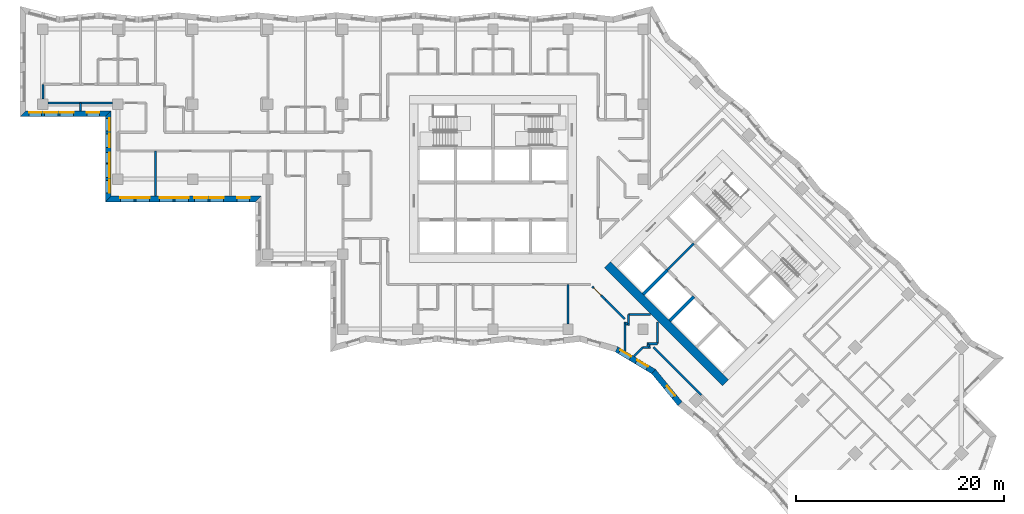
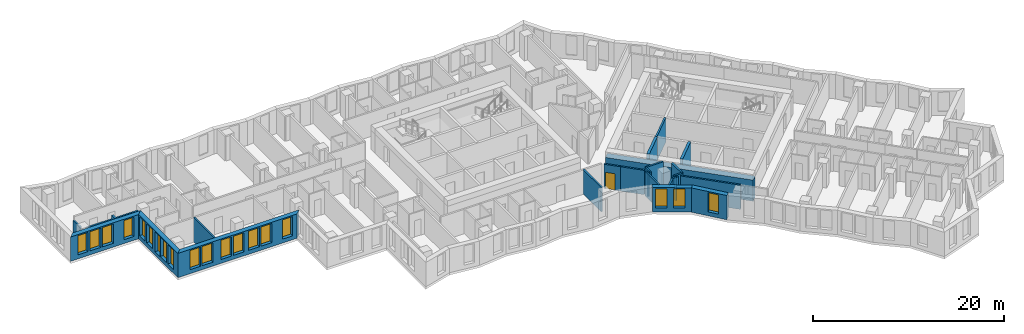
# One storey, part 3 of 13: 26 walls, 19 windows, 1 door, 20 openings.
"""IFC4 building model written with IfcOpenShell, lengths in metres."""

from ifc_helpers import new_model, si_unit, direction, frame, frame_2d, origin, place, context, subcontext, project, spatial, polyline, rectangle, outline, extrude, material, layer, layer_set, type_object, element, fill, save


model = new_model("IFC4")

# Units and contexts
model_context = context("Model", 3, precision=1e-05, world=origin(), true_north=direction((0.0, 1.0)))
body_context = subcontext(model_context, "Body", "Model", "MODEL_VIEW")
ifc_project = project(units=[si_unit("LENGTHUNIT", "METRE"), si_unit("AREAUNIT", "SQUARE_METRE"), si_unit("VOLUMEUNIT", "CUBIC_METRE"), si_unit("PLANEANGLEUNIT", "RADIAN"), si_unit("MASSUNIT", "GRAM", prefix="KILO")], contexts=[model_context])

# Site, building, storey
site_placement = place(None, origin())
site = spatial("IfcSite", under=ifc_project, at=site_placement, CompositionType="ELEMENT")
building_placement = place(site_placement, origin())
building = spatial("IfcBuilding", under=site, at=building_placement, Name="Windrow Commons", CompositionType="ELEMENT")
storey_placement = place(building_placement, frame((0.0, 0.0, 91.4)))
storey = spatial("IfcBuildingStorey", under=building, at=storey_placement, Name="L24", CompositionType="ELEMENT", Elevation=91.4)

# Wall, openings, windows
ifc_material_1 = material(Name="Brick masonry, red clay brick", Category="masonry")
ifc_layer_1 = layer(ifc_material_1, 0.55)
ifc_layer_set_1 = layer_set([ifc_layer_1], Name="Brick facade wall 550")
wall_type_1 = type_object("IfcWallType", Name="Brick facade wall 550", PredefinedType="SOLIDWALL", material=ifc_layer_set_1)
wall_1_placement = place(storey_placement, frame((19.684, 63.875, 0.0), z_axis=(0.0, 0.0, 1.0), x_axis=(1.0, 0.0, 0.0)))
wall_1 = element("IfcWall", 1, at=wall_1_placement, inside=storey, type_object=wall_type_1, Name="Brick facade wall L24 38", PredefinedType="SOLIDWALL", context=body_context, shape_type="SweptSolid", body=[
    extrude(outline(polyline([(-0.275, -0.275), (7.916, -0.275), (8.466, 0.275), (0.275, 0.275), (-0.275, -0.275)])), origin(), (0.0, 0.0, 1.0), 3.1),
])
opening_1_placement = place(wall_1_placement, frame((2.066, 0.0, 0.5)))
opening_1 = element("IfcOpeningElement", 2, at=opening_1_placement, cuts=wall_1, Name="Opening W1P", PredefinedType="OPENING", context=body_context, shape_type="SweptSolid", body=[
    extrude(rectangle(XDim=1.3, YDim=2.45, at=frame_2d((0.65, 1.225))), frame((0.0, 0.285, 0.0), z_axis=(0.0, -1.0, 0.0), x_axis=(1.0, 0.0, 0.0)), (0.0, 0.0, 1.0), 0.57),
])
opening_2_placement = place(wall_1_placement, frame((3.566, 0.0, 0.5)))
opening_2 = element("IfcOpeningElement", 3, at=opening_2_placement, cuts=wall_1, Name="Opening W1P", PredefinedType="OPENING", context=body_context, shape_type="SweptSolid", body=[
    extrude(rectangle(XDim=1.3, YDim=2.45, at=frame_2d((0.65, 1.225))), frame((0.0, 0.285, 0.0), z_axis=(0.0, -1.0, 0.0), x_axis=(1.0, 0.0, 0.0)), (0.0, 0.0, 1.0), 0.57),
])
opening_3_placement = place(wall_1_placement, frame((0.5955, 0.0, 0.5)))
opening_3 = element("IfcOpeningElement", 4, at=opening_3_placement, cuts=wall_1, Name="Opening W7D", PredefinedType="OPENING", context=body_context, shape_type="SweptSolid", body=[
    extrude(rectangle(XDim=1.2, YDim=2.45, at=frame_2d((0.6, 1.225))), frame((0.0, 0.285, 0.0), z_axis=(0.0, -1.0, 0.0), x_axis=(1.0, 0.0, 0.0)), (0.0, 0.0, 1.0), 0.57),
])
opening_4_placement = place(wall_1_placement, frame((6.1535, 0.0, 0.5)))
opening_4 = element("IfcOpeningElement", 5, at=opening_4_placement, cuts=wall_1, Name="Opening W7D", PredefinedType="OPENING", context=body_context, shape_type="SweptSolid", body=[
    extrude(rectangle(XDim=1.2, YDim=2.45, at=frame_2d((0.6, 1.225))), frame((0.0, 0.285, 0.0), z_axis=(0.0, -1.0, 0.0), x_axis=(1.0, 0.0, 0.0)), (0.0, 0.0, 1.0), 0.57),
])
ifc_material_2 = material(Name="Clear float glass in anodised aluminium frame", Category="aluminium")
window_type_1 = type_object("IfcWindowType", Name="Window W1P pair 1300x2450", PartitioningType="SINGLE_PANEL", PredefinedType="WINDOW", material=ifc_material_2)
window_1_placement = place(opening_1_placement, origin())
window_1 = element("IfcWindow", 6, at=window_1_placement, inside=storey, type_object=window_type_1, Name="Window L24 38.1A", OverallHeight=2.45, OverallWidth=1.3, PartitioningType="SINGLE_PANEL", PredefinedType="WINDOW", context=body_context, shape_type="SweptSolid", body=[
    extrude(rectangle(XDim=1.3, YDim=2.45, at=frame_2d((0.65, 1.225))), frame((0.0, 0.155, 0.0), z_axis=(0.0, -1.0, 0.0), x_axis=(1.0, 0.0, 0.0)), (0.0, 0.0, 1.0), 0.06),
])
fill(opening_1, window_1)
window_2_placement = place(opening_2_placement, origin())
window_2 = element("IfcWindow", 7, at=window_2_placement, inside=storey, type_object=window_type_1, Name="Window L24 38.1B", OverallHeight=2.45, OverallWidth=1.3, PartitioningType="SINGLE_PANEL", PredefinedType="WINDOW", context=body_context, shape_type="SweptSolid", body=[
    extrude(rectangle(XDim=1.3, YDim=2.45, at=frame_2d((0.65, 1.225))), frame((0.0, 0.155, 0.0), z_axis=(0.0, -1.0, 0.0), x_axis=(1.0, 0.0, 0.0)), (0.0, 0.0, 1.0), 0.06),
])
fill(opening_2, window_2)
ifc_material_3 = material(Name="Clear float glass in anodised aluminium frame", Category="aluminium")
window_type_2 = type_object("IfcWindowType", Name="Window W7 notch 1200x2450", PartitioningType="SINGLE_PANEL", PredefinedType="WINDOW", material=ifc_material_3)
window_3_placement = place(opening_3_placement, origin())
window_3 = element("IfcWindow", 8, at=window_3_placement, inside=storey, type_object=window_type_2, Name="Window L24 38.2", OverallHeight=2.45, OverallWidth=1.2, PartitioningType="SINGLE_PANEL", PredefinedType="WINDOW", context=body_context, shape_type="SweptSolid", body=[
    extrude(rectangle(XDim=1.2, YDim=2.45, at=frame_2d((0.6, 1.225))), frame((0.0, 0.155, 0.0), z_axis=(0.0, -1.0, 0.0), x_axis=(1.0, 0.0, 0.0)), (0.0, 0.0, 1.0), 0.06),
])
fill(opening_3, window_3)
window_4_placement = place(opening_4_placement, origin())
window_4 = element("IfcWindow", 9, at=window_4_placement, inside=storey, type_object=window_type_2, Name="Window L24 38.3", OverallHeight=2.45, OverallWidth=1.2, PartitioningType="SINGLE_PANEL", PredefinedType="WINDOW", context=body_context, shape_type="SweptSolid", body=[
    extrude(rectangle(XDim=1.2, YDim=2.45, at=frame_2d((0.6, 1.225))), frame((0.0, 0.155, 0.0), z_axis=(0.0, -1.0, 0.0), x_axis=(1.0, 0.0, 0.0)), (0.0, 0.0, 1.0), 0.06),
])
fill(opening_4, window_4)

wall_2_placement = place(storey_placement, frame((27.875, 63.875, 0.0), z_axis=(0.0, 0.0, 1.0), x_axis=(0.0, -1.0, 0.0)))
wall_2 = element("IfcWall", 10, at=wall_2_placement, inside=storey, type_object=wall_type_1, Name="Brick facade wall L24 39", PredefinedType="SOLIDWALL", context=body_context, shape_type="SweptSolid", body=[
    extrude(outline(polyline([(0.275, -0.275), (8.466, -0.275), (7.916, 0.275), (-0.275, 0.275), (0.275, -0.275)])), origin(), (0.0, 0.0, 1.0), 3.1),
])
opening_5_placement = place(wall_2_placement, frame((4.825, 0.0, 0.5)))
opening_5 = element("IfcOpeningElement", 11, at=opening_5_placement, cuts=wall_2, Name="Opening W1P", PredefinedType="OPENING", context=body_context, shape_type="SweptSolid", body=[
    extrude(rectangle(XDim=1.3, YDim=2.45, at=frame_2d((0.65, 1.225))), frame((0.0, 0.285, 0.0), z_axis=(0.0, -1.0, 0.0), x_axis=(1.0, 0.0, 0.0)), (0.0, 0.0, 1.0), 0.57),
])
opening_6_placement = place(wall_2_placement, frame((0.4375, 0.0, 0.5)))
opening_6 = element("IfcOpeningElement", 12, at=opening_6_placement, cuts=wall_2, Name="Opening W7D", PredefinedType="OPENING", context=body_context, shape_type="SweptSolid", body=[
    extrude(rectangle(XDim=1.2, YDim=2.45, at=frame_2d((0.6, 1.225))), frame((0.0, 0.285, 0.0), z_axis=(0.0, -1.0, 0.0), x_axis=(1.0, 0.0, 0.0)), (0.0, 0.0, 1.0), 0.57),
])
opening_7_placement = place(wall_2_placement, frame((6.3955, 0.0, 0.5)))
opening_7 = element("IfcOpeningElement", 13, at=opening_7_placement, cuts=wall_2, Name="Opening W7D", PredefinedType="OPENING", context=body_context, shape_type="SweptSolid", body=[
    extrude(rectangle(XDim=1.2, YDim=2.45, at=frame_2d((0.6, 1.225))), frame((0.0, 0.285, 0.0), z_axis=(0.0, -1.0, 0.0), x_axis=(1.0, 0.0, 0.0)), (0.0, 0.0, 1.0), 0.57),
])
opening_8_placement = place(wall_2_placement, frame((1.9313, 0.0, 0.5)))
opening_8 = element("IfcOpeningElement", 14, at=opening_8_placement, cuts=wall_2, Name="Opening W1P", PredefinedType="OPENING", context=body_context, shape_type="SweptSolid", body=[
    extrude(rectangle(XDim=1.3, YDim=2.45, at=frame_2d((0.65, 1.225))), frame((0.0, 0.285, 0.0), z_axis=(0.0, -1.0, 0.0), x_axis=(1.0, 0.0, 0.0)), (0.0, 0.0, 1.0), 0.57),
])
opening_9_placement = place(wall_2_placement, frame((3.725, 0.0, 0.45)))
opening_9 = element("IfcOpeningElement", 15, at=opening_9_placement, cuts=wall_2, Name="Opening W1S", PredefinedType="OPENING", context=body_context, shape_type="SweptSolid", body=[
    extrude(rectangle(XDim=1.0, YDim=2.5, at=frame_2d((0.5, 1.25))), frame((0.0, 0.285, 0.0), z_axis=(0.0, -1.0, 0.0), x_axis=(1.0, 0.0, 0.0)), (0.0, 0.0, 1.0), 0.57),
])
window_5_placement = place(opening_5_placement, origin())
window_5 = element("IfcWindow", 16, at=window_5_placement, inside=storey, type_object=window_type_1, Name="Window L24 39.1B", OverallHeight=2.45, OverallWidth=1.3, PartitioningType="SINGLE_PANEL", PredefinedType="WINDOW", context=body_context, shape_type="SweptSolid", body=[
    extrude(rectangle(XDim=1.3, YDim=2.45, at=frame_2d((0.65, 1.225))), frame((0.0, 0.155, 0.0), z_axis=(0.0, -1.0, 0.0), x_axis=(1.0, 0.0, 0.0)), (0.0, 0.0, 1.0), 0.06),
])
fill(opening_5, window_5)
window_6_placement = place(opening_8_placement, origin())
window_6 = element("IfcWindow", 17, at=window_6_placement, inside=storey, type_object=window_type_1, Name="Window L24 39.1AA", OverallHeight=2.45, OverallWidth=1.3, PartitioningType="SINGLE_PANEL", PredefinedType="WINDOW", context=body_context, shape_type="SweptSolid", body=[
    extrude(rectangle(XDim=1.3, YDim=2.45, at=frame_2d((0.65, 1.225))), frame((0.0, 0.155, 0.0), z_axis=(0.0, -1.0, 0.0), x_axis=(1.0, 0.0, 0.0)), (0.0, 0.0, 1.0), 0.06),
])
fill(opening_8, window_6)
ifc_material_4 = material(Name="Clear float glass in anodised aluminium frame", Category="aluminium")
window_type_3 = type_object("IfcWindowType", Name="Window W1S slit 1000x2500", PartitioningType="SINGLE_PANEL", PredefinedType="WINDOW", material=ifc_material_4)
window_7_placement = place(opening_9_placement, origin())
window_7 = element("IfcWindow", 18, at=window_7_placement, inside=storey, type_object=window_type_3, Name="Window L24 39.1AB", OverallHeight=2.5, OverallWidth=1.0, PartitioningType="SINGLE_PANEL", PredefinedType="WINDOW", context=body_context, shape_type="SweptSolid", body=[
    extrude(rectangle(XDim=1.0, YDim=2.5, at=frame_2d((0.5, 1.25))), frame((0.0, 0.155, 0.0), z_axis=(0.0, -1.0, 0.0), x_axis=(1.0, 0.0, 0.0)), (0.0, 0.0, 1.0), 0.06),
])
fill(opening_9, window_7)
window_8_placement = place(opening_6_placement, origin())
window_8 = element("IfcWindow", 19, at=window_8_placement, inside=storey, type_object=window_type_2, Name="Window L24 39.2", OverallHeight=2.45, OverallWidth=1.2, PartitioningType="SINGLE_PANEL", PredefinedType="WINDOW", context=body_context, shape_type="SweptSolid", body=[
    extrude(rectangle(XDim=1.2, YDim=2.45, at=frame_2d((0.6, 1.225))), frame((0.0, 0.155, 0.0), z_axis=(0.0, -1.0, 0.0), x_axis=(1.0, 0.0, 0.0)), (0.0, 0.0, 1.0), 0.06),
])
fill(opening_6, window_8)
window_9_placement = place(opening_7_placement, origin())
window_9 = element("IfcWindow", 20, at=window_9_placement, inside=storey, type_object=window_type_2, Name="Window L24 39.3", OverallHeight=2.45, OverallWidth=1.2, PartitioningType="SINGLE_PANEL", PredefinedType="WINDOW", context=body_context, shape_type="SweptSolid", body=[
    extrude(rectangle(XDim=1.2, YDim=2.45, at=frame_2d((0.6, 1.225))), frame((0.0, 0.155, 0.0), z_axis=(0.0, -1.0, 0.0), x_axis=(1.0, 0.0, 0.0)), (0.0, 0.0, 1.0), 0.06),
])
fill(opening_7, window_9)

wall_3_placement = place(storey_placement, frame((27.875, 55.684, 0.0), z_axis=(0.0, 0.0, 1.0), x_axis=(1.0, 0.0, 0.0)))
wall_3 = element("IfcWall", 21, at=wall_3_placement, inside=storey, type_object=wall_type_1, Name="Brick facade wall L24 40", PredefinedType="SOLIDWALL", context=body_context, shape_type="SweptSolid", body=[
    extrude(outline(polyline([(-0.275, -0.275), (14.125, -0.275), (14.675, 0.275), (0.275, 0.275), (-0.275, -0.275)])), origin(), (0.0, 0.0, 1.0), 3.1),
])
opening_10_placement = place(wall_3_placement, frame((1.175, 0.0, 0.5)))
opening_10 = element("IfcOpeningElement", 22, at=opening_10_placement, cuts=wall_3, Name="Opening W1P", PredefinedType="OPENING", context=body_context, shape_type="SweptSolid", body=[
    extrude(rectangle(XDim=1.3, YDim=2.45, at=frame_2d((0.65, 1.225))), frame((0.0, 0.285, 0.0), z_axis=(0.0, -1.0, 0.0), x_axis=(1.0, 0.0, 0.0)), (0.0, 0.0, 1.0), 0.57),
])
opening_11_placement = place(wall_3_placement, frame((2.675, 0.0, 0.5)))
opening_11 = element("IfcOpeningElement", 23, at=opening_11_placement, cuts=wall_3, Name="Opening W1P", PredefinedType="OPENING", context=body_context, shape_type="SweptSolid", body=[
    extrude(rectangle(XDim=1.3, YDim=2.45, at=frame_2d((0.65, 1.225))), frame((0.0, 0.285, 0.0), z_axis=(0.0, -1.0, 0.0), x_axis=(1.0, 0.0, 0.0)), (0.0, 0.0, 1.0), 0.57),
])
opening_12_placement = place(wall_3_placement, frame((4.925, 0.0, 0.5)))
opening_12 = element("IfcOpeningElement", 24, at=opening_12_placement, cuts=wall_3, Name="Opening W1P", PredefinedType="OPENING", context=body_context, shape_type="SweptSolid", body=[
    extrude(rectangle(XDim=1.3, YDim=2.45, at=frame_2d((0.65, 1.225))), frame((0.0, 0.285, 0.0), z_axis=(0.0, -1.0, 0.0), x_axis=(1.0, 0.0, 0.0)), (0.0, 0.0, 1.0), 0.57),
])
opening_13_placement = place(wall_3_placement, frame((6.425, 0.0, 0.5)))
opening_13 = element("IfcOpeningElement", 25, at=opening_13_placement, cuts=wall_3, Name="Opening W1P", PredefinedType="OPENING", context=body_context, shape_type="SweptSolid", body=[
    extrude(rectangle(XDim=1.3, YDim=2.45, at=frame_2d((0.65, 1.225))), frame((0.0, 0.285, 0.0), z_axis=(0.0, -1.0, 0.0), x_axis=(1.0, 0.0, 0.0)), (0.0, 0.0, 1.0), 0.57),
])
opening_14_placement = place(wall_3_placement, frame((8.275, 0.0, 0.5)))
opening_14 = element("IfcOpeningElement", 26, at=opening_14_placement, cuts=wall_3, Name="Opening W1P", PredefinedType="OPENING", context=body_context, shape_type="SweptSolid", body=[
    extrude(rectangle(XDim=1.3, YDim=2.45, at=frame_2d((0.65, 1.225))), frame((0.0, 0.285, 0.0), z_axis=(0.0, -1.0, 0.0), x_axis=(1.0, 0.0, 0.0)), (0.0, 0.0, 1.0), 0.57),
])
opening_15_placement = place(wall_3_placement, frame((9.775, 0.0, 0.5)))
opening_15 = element("IfcOpeningElement", 27, at=opening_15_placement, cuts=wall_3, Name="Opening W1P", PredefinedType="OPENING", context=body_context, shape_type="SweptSolid", body=[
    extrude(rectangle(XDim=1.3, YDim=2.45, at=frame_2d((0.65, 1.225))), frame((0.0, 0.285, 0.0), z_axis=(0.0, -1.0, 0.0), x_axis=(1.0, 0.0, 0.0)), (0.0, 0.0, 1.0), 0.57),
])
opening_16_placement = place(wall_3_placement, frame((12.3625, 0.0, 0.5)))
opening_16 = element("IfcOpeningElement", 28, at=opening_16_placement, cuts=wall_3, Name="Opening W7D", PredefinedType="OPENING", context=body_context, shape_type="SweptSolid", body=[
    extrude(rectangle(XDim=1.2, YDim=2.45, at=frame_2d((0.6, 1.225))), frame((0.0, 0.285, 0.0), z_axis=(0.0, -1.0, 0.0), x_axis=(1.0, 0.0, 0.0)), (0.0, 0.0, 1.0), 0.57),
])
window_10_placement = place(opening_10_placement, origin())
window_10 = element("IfcWindow", 29, at=window_10_placement, inside=storey, type_object=window_type_1, Name="Window L24 40.1A", OverallHeight=2.45, OverallWidth=1.3, PartitioningType="SINGLE_PANEL", PredefinedType="WINDOW", context=body_context, shape_type="SweptSolid", body=[
    extrude(rectangle(XDim=1.3, YDim=2.45, at=frame_2d((0.65, 1.225))), frame((0.0, 0.155, 0.0), z_axis=(0.0, -1.0, 0.0), x_axis=(1.0, 0.0, 0.0)), (0.0, 0.0, 1.0), 0.06),
])
fill(opening_10, window_10)
window_11_placement = place(opening_11_placement, origin())
window_11 = element("IfcWindow", 30, at=window_11_placement, inside=storey, type_object=window_type_1, Name="Window L24 40.1B", OverallHeight=2.45, OverallWidth=1.3, PartitioningType="SINGLE_PANEL", PredefinedType="WINDOW", context=body_context, shape_type="SweptSolid", body=[
    extrude(rectangle(XDim=1.3, YDim=2.45, at=frame_2d((0.65, 1.225))), frame((0.0, 0.155, 0.0), z_axis=(0.0, -1.0, 0.0), x_axis=(1.0, 0.0, 0.0)), (0.0, 0.0, 1.0), 0.06),
])
fill(opening_11, window_11)
window_12_placement = place(opening_12_placement, origin())
window_12 = element("IfcWindow", 31, at=window_12_placement, inside=storey, type_object=window_type_1, Name="Window L24 40.2A", OverallHeight=2.45, OverallWidth=1.3, PartitioningType="SINGLE_PANEL", PredefinedType="WINDOW", context=body_context, shape_type="SweptSolid", body=[
    extrude(rectangle(XDim=1.3, YDim=2.45, at=frame_2d((0.65, 1.225))), frame((0.0, 0.155, 0.0), z_axis=(0.0, -1.0, 0.0), x_axis=(1.0, 0.0, 0.0)), (0.0, 0.0, 1.0), 0.06),
])
fill(opening_12, window_12)
window_13_placement = place(opening_13_placement, origin())
window_13 = element("IfcWindow", 32, at=window_13_placement, inside=storey, type_object=window_type_1, Name="Window L24 40.2B", OverallHeight=2.45, OverallWidth=1.3, PartitioningType="SINGLE_PANEL", PredefinedType="WINDOW", context=body_context, shape_type="SweptSolid", body=[
    extrude(rectangle(XDim=1.3, YDim=2.45, at=frame_2d((0.65, 1.225))), frame((0.0, 0.155, 0.0), z_axis=(0.0, -1.0, 0.0), x_axis=(1.0, 0.0, 0.0)), (0.0, 0.0, 1.0), 0.06),
])
fill(opening_13, window_13)
window_14_placement = place(opening_14_placement, origin())
window_14 = element("IfcWindow", 33, at=window_14_placement, inside=storey, type_object=window_type_1, Name="Window L24 40.3A", OverallHeight=2.45, OverallWidth=1.3, PartitioningType="SINGLE_PANEL", PredefinedType="WINDOW", context=body_context, shape_type="SweptSolid", body=[
    extrude(rectangle(XDim=1.3, YDim=2.45, at=frame_2d((0.65, 1.225))), frame((0.0, 0.155, 0.0), z_axis=(0.0, -1.0, 0.0), x_axis=(1.0, 0.0, 0.0)), (0.0, 0.0, 1.0), 0.06),
])
fill(opening_14, window_14)
window_15_placement = place(opening_15_placement, origin())
window_15 = element("IfcWindow", 34, at=window_15_placement, inside=storey, type_object=window_type_1, Name="Window L24 40.3B", OverallHeight=2.45, OverallWidth=1.3, PartitioningType="SINGLE_PANEL", PredefinedType="WINDOW", context=body_context, shape_type="SweptSolid", body=[
    extrude(rectangle(XDim=1.3, YDim=2.45, at=frame_2d((0.65, 1.225))), frame((0.0, 0.155, 0.0), z_axis=(0.0, -1.0, 0.0), x_axis=(1.0, 0.0, 0.0)), (0.0, 0.0, 1.0), 0.06),
])
fill(opening_15, window_15)
window_16_placement = place(opening_16_placement, origin())
window_16 = element("IfcWindow", 35, at=window_16_placement, inside=storey, type_object=window_type_2, Name="Window L24 40.4", OverallHeight=2.45, OverallWidth=1.2, PartitioningType="SINGLE_PANEL", PredefinedType="WINDOW", context=body_context, shape_type="SweptSolid", body=[
    extrude(rectangle(XDim=1.2, YDim=2.45, at=frame_2d((0.6, 1.225))), frame((0.0, 0.155, 0.0), z_axis=(0.0, -1.0, 0.0), x_axis=(1.0, 0.0, 0.0)), (0.0, 0.0, 1.0), 0.06),
])
fill(opening_16, window_16)

wall_4_placement = place(storey_placement, frame((76.6561, 41.2632, 0.0), z_axis=(0.0, 0.0, 1.0), x_axis=(0.8580683787, -0.513535449, 0.0)))
wall_4 = element("IfcWall", 36, at=wall_4_placement, inside=storey, type_object=wall_type_1, Name="Brick facade wall L24 52", PredefinedType="SOLIDWALL", context=body_context, shape_type="SweptSolid", body=[
    extrude(outline(polyline([(0.0356, -0.275), (4.1035, -0.275), (4.1993, 0.275), (-0.0356, 0.275), (0.0356, -0.275)])), origin(), (0.0, 0.0, 1.0), 3.1),
])
opening_17_placement = place(wall_4_placement, frame((0.3582, 0.0, 0.5)))
opening_17 = element("IfcOpeningElement", 37, at=opening_17_placement, cuts=wall_4, Name="Opening W7D", PredefinedType="OPENING", context=body_context, shape_type="SweptSolid", body=[
    extrude(rectangle(XDim=1.2, YDim=2.45, at=frame_2d((0.6, 1.225))), frame((0.0, 0.285, 0.0), z_axis=(0.0, -1.0, 0.0), x_axis=(1.0, 0.0, 0.0)), (0.0, 0.0, 1.0), 0.57),
])
opening_18_placement = place(wall_4_placement, frame((2.2339, 0.0, 0.5)))
opening_18 = element("IfcOpeningElement", 38, at=opening_18_placement, cuts=wall_4, Name="Opening W7D", PredefinedType="OPENING", context=body_context, shape_type="SweptSolid", body=[
    extrude(rectangle(XDim=1.2, YDim=2.45, at=frame_2d((0.6, 1.225))), frame((0.0, 0.285, 0.0), z_axis=(0.0, -1.0, 0.0), x_axis=(1.0, 0.0, 0.0)), (0.0, 0.0, 1.0), 0.57),
])
window_17_placement = place(opening_17_placement, origin())
window_17 = element("IfcWindow", 39, at=window_17_placement, inside=storey, type_object=window_type_2, Name="Window L24 52.1", OverallHeight=2.45, OverallWidth=1.2, PartitioningType="SINGLE_PANEL", PredefinedType="WINDOW", context=body_context, shape_type="SweptSolid", body=[
    extrude(rectangle(XDim=1.2, YDim=2.45, at=frame_2d((0.6, 1.225))), frame((0.0, 0.155, 0.0), z_axis=(0.0, -1.0, 0.0), x_axis=(1.0, 0.0, 0.0)), (0.0, 0.0, 1.0), 0.06),
])
fill(opening_17, window_17)
window_18_placement = place(opening_18_placement, origin())
window_18 = element("IfcWindow", 40, at=window_18_placement, inside=storey, type_object=window_type_2, Name="Window L24 52.2", OverallHeight=2.45, OverallWidth=1.2, PartitioningType="SINGLE_PANEL", PredefinedType="WINDOW", context=body_context, shape_type="SweptSolid", body=[
    extrude(rectangle(XDim=1.2, YDim=2.45, at=frame_2d((0.6, 1.225))), frame((0.0, 0.155, 0.0), z_axis=(0.0, -1.0, 0.0), x_axis=(1.0, 0.0, 0.0)), (0.0, 0.0, 1.0), 0.06),
])
fill(opening_18, window_18)

# Wall, opening, window
wall_5_placement = place(storey_placement, frame((80.2183, 39.1313, 0.0), z_axis=(0.0, 0.0, 1.0), x_axis=(0.6339289391, -0.7733912983, 0.0)))
wall_5 = element("IfcWall", 41, at=wall_5_placement, inside=storey, type_object=wall_type_1, Name="Brick facade wall L24 53", PredefinedType="SOLIDWALL", context=body_context, shape_type="SweptSolid", body=[
    extrude(outline(polyline([(0.0479, -0.275), (4.0126, -0.275), (3.9581, 0.275), (-0.0479, 0.275), (0.0479, -0.275)])), origin(), (0.0, 0.0, 1.0), 3.1),
])
opening_19_placement = place(wall_5_placement, frame((1.9012, 0.0, 0.5)))
opening_19 = element("IfcOpeningElement", 42, at=opening_19_placement, cuts=wall_5, Name="Opening W7D", PredefinedType="OPENING", context=body_context, shape_type="SweptSolid", body=[
    extrude(rectangle(XDim=1.2, YDim=2.45, at=frame_2d((0.6, 1.225))), frame((0.0, 0.285, 0.0), z_axis=(0.0, -1.0, 0.0), x_axis=(1.0, 0.0, 0.0)), (0.0, 0.0, 1.0), 0.57),
])
window_19_placement = place(opening_19_placement, origin())
window_19 = element("IfcWindow", 43, at=window_19_placement, inside=storey, type_object=window_type_2, Name="Window L24 53.1", OverallHeight=2.45, OverallWidth=1.2, PartitioningType="SINGLE_PANEL", PredefinedType="WINDOW", context=body_context, shape_type="SweptSolid", body=[
    extrude(rectangle(XDim=1.2, YDim=2.45, at=frame_2d((0.6, 1.225))), frame((0.0, 0.155, 0.0), z_axis=(0.0, -1.0, 0.0), x_axis=(1.0, 0.0, 0.0)), (0.0, 0.0, 1.0), 0.06),
])
fill(opening_19, window_19)

# Walls
ifc_material_5 = material(Name="Blockwork partition", Category="masonry")
ifc_layer_2 = layer(ifc_material_5, 0.2)
ifc_layer_set_2 = layer_set([ifc_layer_2], Name="Fire lobby partition 200")
wall_type_2 = type_object("IfcWallType", Name="Fire lobby partition 200", PredefinedType="PARTITIONING", material=ifc_layer_set_2)
wall_6_placement = place(storey_placement, frame((81.5335, 48.8776, 0.0), z_axis=(0.0, 0.0, 1.0), x_axis=(0.707092892, 0.7071206701, 0.0)))
element("IfcWall", 44, at=wall_6_placement, inside=storey, type_object=wall_type_2, Name="W-core-lobby-B-L24", PredefinedType="PARTITIONING", context=body_context, shape_type="SweptSolid", body=[
    extrude(rectangle(XDim=3.6, YDim=0.2, at=frame_2d((1.8, 0.0))), origin(), (0.0, 0.0, 1.0), 3.1),
])
ifc_material_6 = material(Name="Blockwork partition", Category="masonry")
ifc_layer_3 = layer(ifc_material_6, 0.2)
ifc_layer_set_3 = layer_set([ifc_layer_3], Name="IW-CORRIDOR-200")
wall_type_3 = type_object("IfcWallType", Name="IW-CORRIDOR-200", PredefinedType="PARTITIONING", material=ifc_layer_set_3)
wall_7_placement = place(storey_placement, frame((80.1973, 41.4533, 0.0), z_axis=(0.0, 0.0, 1.0), x_axis=(0.7071067812, -0.7071067812, 0.0)))
element("IfcWall", 45, at=wall_7_placement, inside=storey, type_object=wall_type_3, Name="W-L24-W025", PredefinedType="PARTITIONING", context=body_context, shape_type="SweptSolid", body=[
    extrude(rectangle(XDim=6.4884, YDim=0.2, at=frame_2d((3.2442, 0.0))), origin(), (0.0, 0.0, 1.0), 3.1),
])
wall_8_placement = place(storey_placement, frame((22.1, 64.9, 0.0), z_axis=(0.0, 0.0, 1.0), x_axis=(1.0, 0.0, 0.0)))
element("IfcWall", 46, at=wall_8_placement, inside=storey, type_object=wall_type_3, Name="W-L24-W028", PredefinedType="PARTITIONING", context=body_context, shape_type="SweptSolid", body=[
    extrude(rectangle(XDim=6.2, YDim=0.2, at=frame_2d((3.1, 0.0))), origin(), (0.0, 0.0, 1.0), 2.6),
])
wall_9_placement = place(storey_placement, frame((75.5982, 46.0402, 0.0), z_axis=(0.0, 0.0, 1.0), x_axis=(0.7074891043, -0.7067242512, 0.0)))
element("IfcWall", 47, at=wall_9_placement, inside=storey, type_object=wall_type_3, Name="W-L24-W069", PredefinedType="PARTITIONING", context=body_context, shape_type="SweptSolid", body=[
    extrude(rectangle(XDim=2.6149, YDim=0.2, at=frame_2d((1.3075, 0.0))), origin(), (0.0, 0.0, 1.0), 3.1),
])
for number, where, z_axis, x_axis, name in (
    (48, (77.802, 44.6, 0.0), (0.0, 0.0, 1.0), (1.0, 0.0, 0.0), "W-L24-W119"),
    (49, (80.6, 41.802, 0.0), (0.0, 0.0, 1.0), (0.0, 1.0, 0.0), "W-L24-W120"),
):
    element("IfcWall", number, at=place(storey_placement, frame(where, z_axis=z_axis, x_axis=x_axis)), inside=storey, type_object=wall_type_3, Name=name, PredefinedType="PARTITIONING", context=body_context, shape_type="SweptSolid", body=[
        extrude(rectangle(XDim=2.098, YDim=0.2, at=frame_2d((1.049, 0.0))), origin(), (0.0, 0.0, 1.0), 3.1),
    ])

# Wall, opening, door
wall_10_placement = place(storey_placement, frame((74.3393, 47.2973, 0.0), z_axis=(0.0, 0.0, 1.0), x_axis=(0.7071067812, -0.7071067812, 0.0)))
wall_10 = element("IfcWall", 50, at=wall_10_placement, inside=storey, type_object=wall_type_3, Name="W-L24-W156", PredefinedType="PARTITIONING", context=body_context, shape_type="SweptSolid", body=[
    extrude(rectangle(XDim=1.7791, YDim=0.2, at=frame_2d((0.8895, 0.0))), origin(), (0.0, 0.0, 1.0), 3.1),
])
opening_20_placement = place(wall_10_placement, frame((0.1857, 0.0, 0.0)))
opening_20 = element("IfcOpeningElement", 51, at=opening_20_placement, cuts=wall_10, Name="Opening D310F", PredefinedType="OPENING", context=body_context, shape_type="SweptSolid", body=[
    extrude(rectangle(XDim=1.0, YDim=2.1, at=frame_2d((0.5, 1.05))), frame((0.0, 0.11, 0.0), z_axis=(0.0, -1.0, 0.0), x_axis=(1.0, 0.0, 0.0)), (0.0, 0.0, 1.0), 0.22),
])
ifc_material_7 = material(Name="Timber door leaf", Category="wood")
door_type = type_object("IfcDoorType", Name="DT-AMENITY-1000", OperationType="SINGLE_SWING_LEFT", PredefinedType="DOOR", material=ifc_material_7)
door_placement = place(opening_20_placement, origin())
door = element("IfcDoor", 52, at=door_placement, inside=storey, type_object=door_type, Name="D-L24-D042", OperationType="SINGLE_SWING_LEFT", OverallHeight=2.1, OverallWidth=1.0, PredefinedType="DOOR", context=body_context, shape_type="SweptSolid", body=[
    extrude(rectangle(XDim=1.0, YDim=2.1, at=frame_2d((0.5, 1.05))), frame((0.0, 0.025, 0.0), z_axis=(0.0, -1.0, 0.0), x_axis=(1.0, 0.0, 0.0)), (0.0, 0.0, 1.0), 0.05),
])
fill(opening_20, door)

# Walls
wall_11_placement = place(storey_placement, frame((21.6, 65.3, 0.0), z_axis=(0.0, 0.0, 1.0), x_axis=(0.0, 1.0, 0.0)))
element("IfcWall", 53, at=wall_11_placement, inside=storey, type_object=wall_type_3, Name="W-L24-W165", PredefinedType="PARTITIONING", context=body_context, shape_type="SweptSolid", body=[
    extrude(rectangle(XDim=1.4, YDim=0.2, at=frame_2d((0.7, 0.0))), origin(), (0.0, 0.0, 1.0), 2.6),
])
for number, where, z_axis, x_axis, name in (
    (54, (77.8, 43.56, 0.0), (0.0, 0.0, 1.0), (0.0, 1.0, 0.0), "W-L24-W180"),
    (55, (79.56, 41.8, 0.0), (0.0, 0.0, 1.0), (1.0, 0.0, 0.0), "W-L24-W181"),
):
    element("IfcWall", number, at=place(storey_placement, frame(where, z_axis=z_axis, x_axis=x_axis)), inside=storey, type_object=wall_type_3, Name=name, PredefinedType="PARTITIONING", context=body_context, shape_type="SweptSolid", body=[
        extrude(rectangle(XDim=1.04, YDim=0.2, at=frame_2d((0.52, 0.0))), origin(), (0.0, 0.0, 1.0), 3.1),
    ])
for number, where, z_axis, x_axis, name in (
    (56, (79.6488, 41.7049, 0.0), (0.0, 0.0, 1.0), (0.7068844555, -0.707329037, 0.0), "W-L24-W205"),
    (57, (77.5458, 43.8078, 0.0), (0.0, 0.0, 1.0), (0.707329037, -0.7068844555, 0.0), "W-L24-W206"),
):
    element("IfcWall", number, at=place(storey_placement, frame(where, z_axis=z_axis, x_axis=x_axis)), inside=storey, type_object=wall_type_3, Name=name, PredefinedType="PARTITIONING", context=body_context, shape_type="SweptSolid", body=[
        extrude(rectangle(XDim=0.2249, YDim=0.2, at=frame_2d((0.1124, 0.0))), origin(), (0.0, 0.0, 1.0), 3.1),
    ])
ifc_material_8 = material(Name="Blockwork partition", Category="masonry")
ifc_layer_4 = layer(ifc_material_8, 0.2)
ifc_layer_set_4 = layer_set([ifc_layer_4], Name="IW-PARTY-200")
wall_type_4 = type_object("IfcWallType", Name="IW-PARTY-200", PredefinedType="PARTITIONING", material=ifc_layer_set_4)
wall_12_placement = place(storey_placement, frame((32.4, 55.959, 0.0), z_axis=(0.0, 0.0, 1.0), x_axis=(0.0, 1.0, 0.0)))
element("IfcWall", 58, at=wall_12_placement, inside=storey, type_object=wall_type_4, Name="W-L24-W052", PredefinedType="PARTITIONING", context=body_context, shape_type="SweptSolid", body=[
    extrude(rectangle(XDim=4.341, YDim=0.2, at=frame_2d((2.1705, 0.0))), origin(), (0.0, 0.0, 1.0), 3.1),
])
wall_13_placement = place(storey_placement, frame((72.0, 43.7, 0.0), z_axis=(0.0, 0.0, 1.0), x_axis=(0.0, 1.0, 0.0)))
element("IfcWall", 59, at=wall_13_placement, inside=storey, type_object=wall_type_4, Name="W-L24-W057", PredefinedType="PARTITIONING", context=body_context, shape_type="SweptSolid", body=[
    extrude(rectangle(XDim=3.8, YDim=0.2, at=frame_2d((1.9, 0.0))), origin(), (0.0, 0.0, 1.0), 3.1),
])
wall_14_placement = place(storey_placement, frame((77.45, 41.1086, 0.0), z_axis=(0.0, 0.0, 1.0), x_axis=(0.0, 1.0, 0.0)))
element("IfcWall", 60, at=wall_14_placement, inside=storey, type_object=wall_type_4, Name="W-L24-W064", PredefinedType="PARTITIONING", context=body_context, shape_type="SweptSolid", body=[
    extrude(rectangle(XDim=2.8014, YDim=0.2, at=frame_2d((1.4007, 0.0))), origin(), (0.0, 0.0, 1.0), 3.1),
])
wall_15_placement = place(storey_placement, frame((78.3283, 40.5829, 0.0), z_axis=(0.0, 0.0, 1.0), x_axis=(0.7071067812, 0.7071067812, 0.0)))
element("IfcWall", 61, at=wall_15_placement, inside=storey, type_object=wall_type_4, Name="W-L24-W179", PredefinedType="PARTITIONING", context=body_context, shape_type="SweptSolid", body=[
    extrude(rectangle(XDim=1.2267, YDim=0.2, at=frame_2d((0.6133, 0.0))), origin(), (0.0, 0.0, 1.0), 3.1),
])
wall_16_placement = place(storey_placement, frame((79.198, 41.45, 0.0), z_axis=(0.0, 0.0, 1.0), x_axis=(1.0, 0.0, 0.0)))
element("IfcWall", 62, at=wall_16_placement, inside=storey, type_object=wall_type_4, Name="W-L24-W188", PredefinedType="PARTITIONING", context=body_context, shape_type="SweptSolid", body=[
    extrude(rectangle(XDim=0.712, YDim=0.2, at=frame_2d((0.356, 0.0))), origin(), (0.0, 0.0, 1.0), 3.1),
])
wall_17_placement = place(storey_placement, frame((25.2, 64.15, 0.0), z_axis=(0.0, 0.0, 1.0), x_axis=(0.0, 1.0, 0.0)))
element("IfcWall", 63, at=wall_17_placement, inside=storey, type_object=wall_type_4, Name="W-L24-W190", PredefinedType="PARTITIONING", context=body_context, shape_type="SweptSolid", body=[
    extrude(rectangle(XDim=0.75, YDim=0.2, at=frame_2d((0.375, 0.0))), origin(), (0.0, 0.0, 1.0), 3.1),
])
ifc_material_9 = material(Name="Concrete C50/60", Category="concrete")
ifc_layer_5 = layer(ifc_material_9, 0.8)
ifc_layer_set_5 = layer_set([ifc_layer_5], Name="RC CORE WALL 800 C50/60")
wall_type_5 = type_object("IfcWallType", Name="RC CORE WALL 800 C50/60", PredefinedType="SHEAR", material=ifc_layer_set_5)
wall_18_placement = place(storey_placement, frame((75.8059, 49.3726, -0.3), z_axis=(0.0, 0.0, 1.0), x_axis=(0.7071067812, -0.7071067812, 0.0)))
element("IfcWall", 64, at=wall_18_placement, inside=storey, type_object=wall_type_5, Name="Core B wall outer-S", PredefinedType="SHEAR", context=body_context, shape_type="SweptSolid", body=[
    extrude(rectangle(XDim=16.0, YDim=0.8, at=frame_2d((8.0, 0.0))), origin(), (0.0, 0.0, 1.0), 2.7),
])
ifc_material_10 = material(Name="Concrete C50/60", Category="concrete")
ifc_layer_6 = layer(ifc_material_10, 0.3)
ifc_layer_set_6 = layer_set([ifc_layer_6], Name="RC SHAFT WALL 300 C50/60")
wall_type_6 = type_object("IfcWallType", Name="RC SHAFT WALL 300 C50/60", PredefinedType="SOLIDWALL", material=ifc_layer_set_6)
wall_19_placement = place(storey_placement, frame((79.2, 46.5442, 0.0), z_axis=(0.0, 0.0, 1.0), x_axis=(0.7071219326, 0.7070916295, 0.0)))
element("IfcWall", 65, at=wall_19_placement, inside=storey, type_object=wall_type_6, Name="Core B wall shaft-S1", PredefinedType="SOLIDWALL", context=body_context, shape_type="SweptSolid", body=[
    extrude(rectangle(XDim=3.3, YDim=0.3, at=frame_2d((1.65, 0.0))), origin(), (0.0, 0.0, 1.0), 3.1),
])
wall_20_placement = place(storey_placement, frame((81.7456, 43.9986, 0.0), z_axis=(0.0, 0.0, 1.0), x_axis=(0.7071067812, 0.7071067812, 0.0)))
element("IfcWall", 66, at=wall_20_placement, inside=storey, type_object=wall_type_6, Name="Core B wall shaft-S2", PredefinedType="SOLIDWALL", context=body_context, shape_type="SweptSolid", body=[
    extrude(rectangle(XDim=3.2999, YDim=0.3, at=frame_2d((1.65, 0.0))), origin(), (0.0, 0.0, 1.0), 3.1),
])

save(model, "model.ifc")
